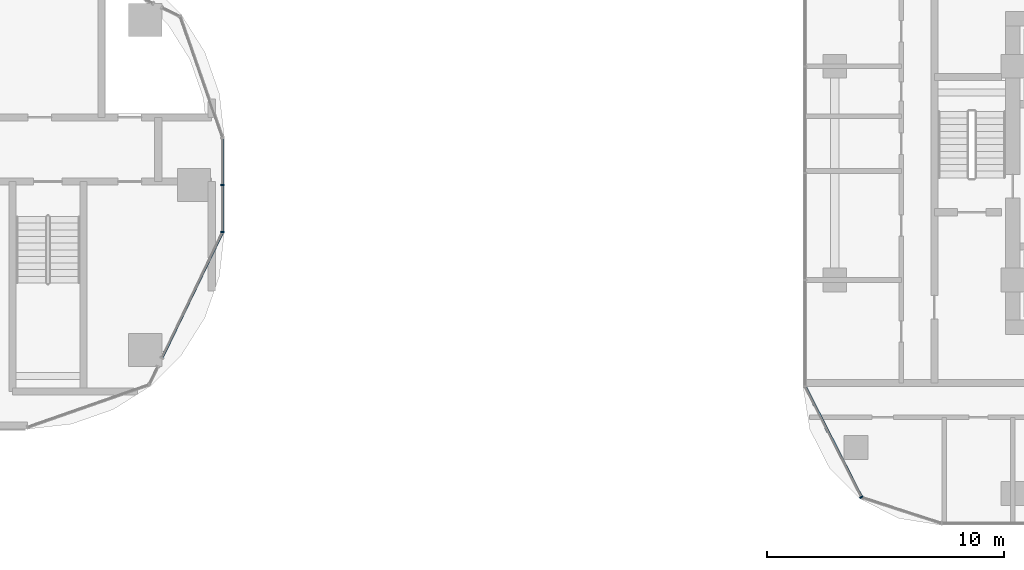
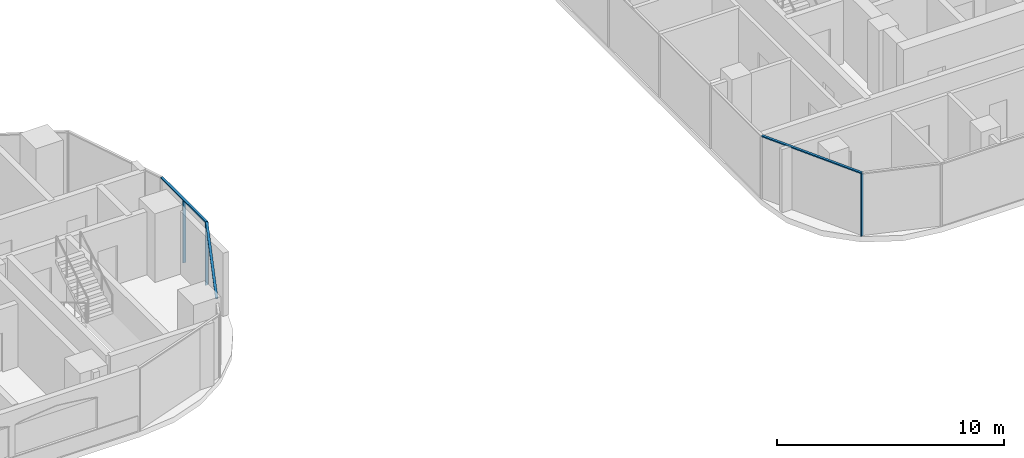
# One storey, part 7 of 36: 6 members, 3 elements without a shape of their own.
"""IFC4 building model written with IfcOpenShell, lengths in metres."""

from ifc_helpers import new_model, si_unit, direction, frame, origin, origin_2d, place, context, subcontext, project, spatial, rectangle, extrude, material, material_profile, profile_set, type_object, element, aggregate, save


model = new_model("IFC4")

# Units and contexts
model_context = context("Model", 3, precision=1e-05, world=origin(), true_north=direction((0.0, 1.0)))
body_context = subcontext(model_context, "Body", "Model", "MODEL_VIEW")
ifc_project = project(units=[si_unit("LENGTHUNIT", "METRE"), si_unit("AREAUNIT", "SQUARE_METRE"), si_unit("VOLUMEUNIT", "CUBIC_METRE"), si_unit("PLANEANGLEUNIT", "RADIAN"), si_unit("MASSUNIT", "GRAM", prefix="KILO")], contexts=[model_context])

# Site, building, storey
site_placement = place(None, origin())
site = spatial("IfcSite", under=ifc_project, at=site_placement, CompositionType="ELEMENT")
building_placement = place(site_placement, origin())
building = spatial("IfcBuilding", under=site, at=building_placement, Name="Ogive Portal Towers", CompositionType="ELEMENT")
storey_placement = place(building_placement, frame((0.0, 0.0, 48.300048828125)))
storey = spatial("IfcBuildingStorey", under=building, at=storey_placement, Name="L10", CompositionType="ELEMENT", Elevation=48.300048828125)

# Curtain wall, members
ifc_material_1 = material(Name="Glass, clear low-iron insulated glazing", Category="glass")
curtain_wall_type_1 = type_object("IfcCurtainWallType", Name="CW FRONT RIBBON 4500", PredefinedType="NOTDEFINED", material=ifc_material_1)
curtain_wall_1_placement = place(storey_placement, origin())
curtain_wall_1 = element("IfcCurtainWall", 1, at=curtain_wall_1_placement, inside=storey, type_object=curtain_wall_type_1, Name="A:L10:f08:cw0", PredefinedType="NOTDEFINED")
ifc_material_2 = material(Name="Aluminium 6063 anodised", Category="aluminium")
ifc_material_profile_1 = material_profile(ifc_material_2, rectangle(XDim=0.159912109375, YDim=0.06005859375, at=origin_2d()), Name="AL 60x160")
ifc_profile_set_1 = profile_set([ifc_material_profile_1], Name="Aluminium 6063 anodised")
member_type_1 = type_object("IfcMemberType", Name="CW MULLION 60x160", PredefinedType="MULLION", material=ifc_profile_set_1)
member_1_placement = place(storey_placement, frame((95.705078125, 28.518310546875, 0.0), z_axis=(0.0, 0.0, 1.0), x_axis=(-1.0, 0.0, 0.0)))
member_1 = element("IfcMember", 2, at=member_1_placement, type_object=member_type_1, Name="mullion", PredefinedType="MULLION", context=body_context, shape_type="SweptSolid", body=[
    extrude(rectangle(XDim=0.159912109375, YDim=0.06005859375, at=origin_2d()), origin(), (0.0, 0.0, 1.0), 3.33984375),
])
member_2_placement = place(storey_placement, frame((95.705078125, 30.5, 0.0), z_axis=(0.0, 0.0, 1.0), x_axis=(-1.0, 0.0, 0.0)))
member_2 = element("IfcMember", 3, at=member_2_placement, type_object=member_type_1, Name="mullion", PredefinedType="MULLION", context=body_context, shape_type="SweptSolid", body=[
    extrude(rectangle(XDim=0.159912109375, YDim=0.06005859375, at=origin_2d()), origin(), (0.0, 0.0, 1.0), 3.33984375),
])

# Curtain wall, member
curtain_wall_type_2 = type_object("IfcCurtainWallType", Name="CW RESIDENCES RIBBON", PredefinedType="NOTDEFINED", material=ifc_material_1)
curtain_wall_2_placement = place(storey_placement, origin())
curtain_wall_2 = element("IfcCurtainWall", 4, at=curtain_wall_2_placement, inside=storey, type_object=curtain_wall_type_2, Name="B:L10:f00:cwa", PredefinedType="NOTDEFINED")
member_3_placement = place(storey_placement, frame((122.62646484375, 17.34521484375, 0.0), z_axis=(0.0, 0.0, 1.0), x_axis=(0.891006524188, 0.45399049974, 0.0)))
member_3 = element("IfcMember", 5, at=member_3_placement, type_object=member_type_1, Name="mullion", PredefinedType="MULLION", context=body_context, shape_type="SweptSolid", body=[
    extrude(rectangle(XDim=0.159912109375, YDim=0.06005859375, at=origin_2d()), origin(), (0.0, 0.0, 1.0), 3.33984375),
])

# Member
ifc_material_profile_2 = material_profile(ifc_material_2, rectangle(XDim=0.1201171875, YDim=0.06005859375, at=origin_2d()), Name="AL 120x60")
ifc_profile_set_2 = profile_set([ifc_material_profile_2], Name="Aluminium 6063 anodised")
member_type_2 = type_object("IfcMemberType", Name="CW TRANSOM 60x120", PredefinedType="USERDEFINED", material=ifc_profile_set_2)
member_4_placement = place(storey_placement, frame((95.705078125, 28.518310546875, 3.369873046875), z_axis=(0.0, 1.0, 0.0), x_axis=(-1.0, 0.0, 0.0)))
member_4 = element("IfcMember", 6, at=member_4_placement, type_object=member_type_2, Name="transom", ObjectType="TRANSOM", PredefinedType="USERDEFINED", context=body_context, shape_type="SweptSolid", body=[
    extrude(rectangle(XDim=0.1201171875, YDim=0.06005859375, at=origin_2d()), origin(), (0.0, 0.0, 1.0), 3.968017578125),
])

aggregate(curtain_wall_1, [member_4, member_1, member_2])

# Curtain wall, member
curtain_wall_3_placement = place(storey_placement, origin())
curtain_wall_3 = element("IfcCurtainWall", 7, at=curtain_wall_3_placement, inside=storey, type_object=curtain_wall_type_1, Name="A:L10:f06:cwa~1", PredefinedType="NOTDEFINED")
member_5_placement = place(storey_placement, frame((93.14990234375, 23.212646484375, 3.369873046875), z_axis=(0.433897886334, 0.900962054825, 0.0), x_axis=(-0.900962054825, 0.433897886334, 0.0)))
member_5 = element("IfcMember", 8, at=member_5_placement, type_object=member_type_2, Name="transom", ObjectType="TRANSOM", PredefinedType="USERDEFINED", context=body_context, shape_type="SweptSolid", body=[
    extrude(rectangle(XDim=0.1201171875, YDim=0.06005859375, at=origin_2d()), origin(), (0.0, 0.0, 1.0), 5.888916015625),
])
aggregate(curtain_wall_3, [member_5])

# Member
member_6_placement = place(storey_placement, frame((120.2451171875, 22.019287109375, 3.369873046875), z_axis=(0.453958549068, -0.891022803147, 0.0), x_axis=(0.891022803147, 0.453958549068, 0.0)))
member_6 = element("IfcMember", 9, at=member_6_placement, type_object=member_type_2, Name="transom", ObjectType="TRANSOM", PredefinedType="USERDEFINED", context=body_context, shape_type="SweptSolid", body=[
    extrude(rectangle(XDim=0.1201171875, YDim=0.06005859375, at=origin_2d()), origin(), (0.0, 0.0, 1.0), 5.245849609375),
])

aggregate(curtain_wall_2, [member_6, member_3])

save(model, "model.ifc")
